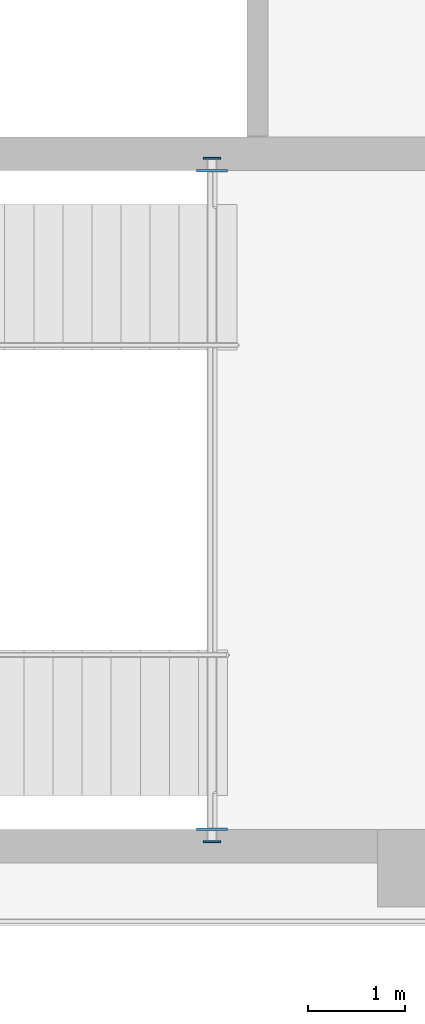
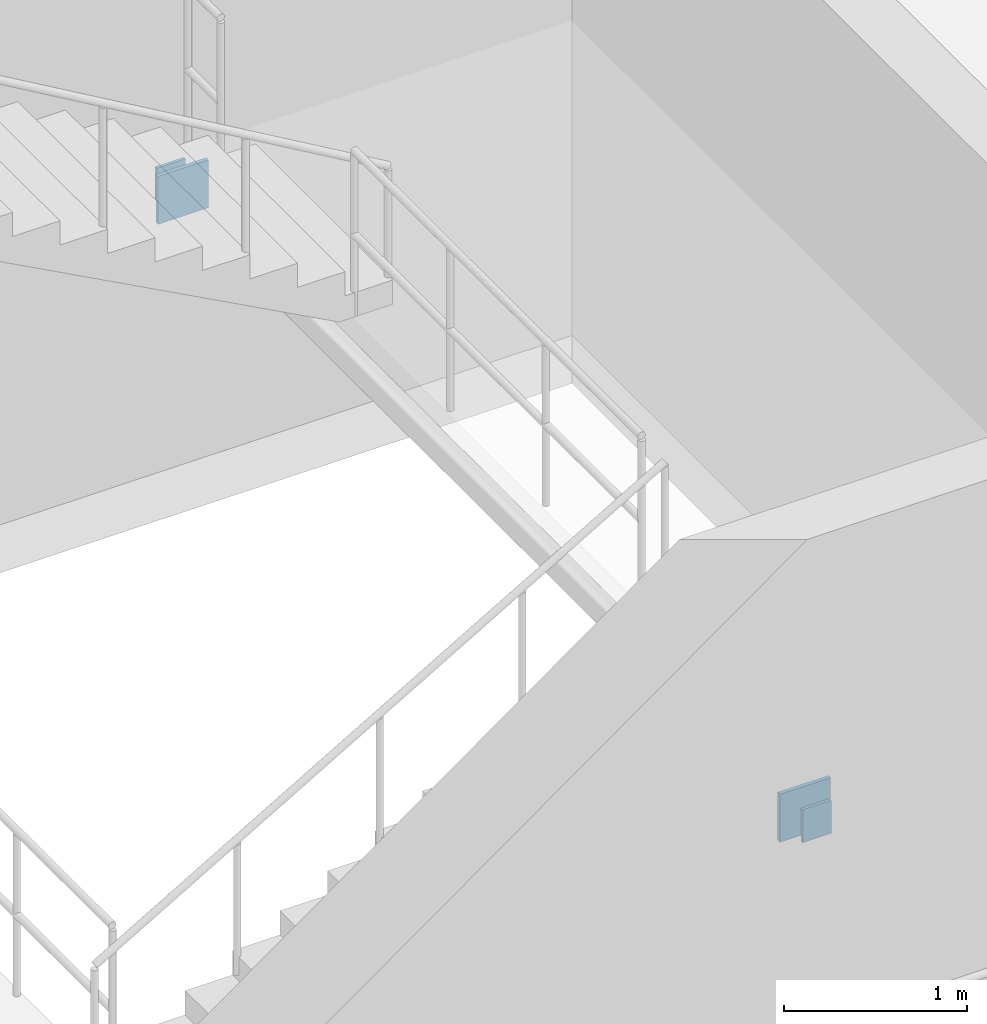
# One storey, part 10 of 35: 4 plates.
"""IFC4 building model written with IfcOpenShell, lengths in metres."""

import ifcopenshell
import ifcopenshell.guid

model = None  # the IFC model being written
_history = None  # IfcOwnerHistory: only IFC2X3 demands one
_inside = {}  # id of a spatial element -> (the spatial element, [elements in it])
_under = {}  # id of a project, library or spatial element -> (it, [spatial elements below it])
_declared = {}  # id of a project -> (the project, [libraries it declares])
_typed = {}  # id of a type object -> (the type object, [elements of that type])
_made_of = {}  # id of a material, layer set ... -> (it, [elements and type objects made of it])


def new_model(schema):
    """Start an empty IFC model of exactly this schema.

    Asked for "IFC4X3", IfcOpenShell would pick the latest addendum, in which some entities
    have other attributes; the version numbers below select the first issue.
    IFC2X3 requires an IfcOwnerHistory on every rooted entity: one is made here for all.
    """
    global model, _history
    if schema == "IFC4X3":
        model = ifcopenshell.file(schema_version=(4, 3, 0, 0))
    else:
        model = ifcopenshell.file(schema=schema)
    _inside.clear()
    _under.clear()
    _declared.clear()
    _typed.clear()
    _made_of.clear()
    _history = None
    if model.schema == "IFC2X3":
        org = make("IfcOrganization", Name="unknown")
        user = make(
            "IfcPersonAndOrganization",
            ThePerson=make("IfcPerson", FamilyName="unknown"),
            TheOrganization=org,
        )
        app = make(
            "IfcApplication",
            ApplicationDeveloper=org,
            Version="unknown",
            ApplicationFullName="unknown",
            ApplicationIdentifier="unknown",
        )
        _history = make(
            "IfcOwnerHistory",
            OwningUser=user,
            OwningApplication=app,
            ChangeAction="ADDED",
            CreationDate=0,
        )
    return model


def make(cls, **values):
    """One entity of the class cls with the attributes given. An attribute that is None is left unset."""
    return model.create_entity(
        cls, **{name: value for name, value in values.items() if value is not None}
    )


def rooted(cls, **values):
    """An entity with a GlobalId (a new one), such as an element, a storey or a relation."""
    return make(cls, GlobalId=ifcopenshell.guid.new(), OwnerHistory=_history, **values)


def si_unit(unit_type, name, prefix=None):
    """IfcSIUnit, for example si_unit("LENGTHUNIT", "METRE", prefix="MILLI")."""
    return make("IfcSIUnit", UnitType=unit_type, Prefix=prefix, Name=name)


def assignment(units):
    """IfcUnitAssignment: the units of a project."""
    return None if units is None else make("IfcUnitAssignment", Units=units)


def point(xyz):
    """IfcCartesianPoint."""
    return None if xyz is None else make("IfcCartesianPoint", Coordinates=xyz)


def direction(xyz):
    """IfcDirection."""
    return None if xyz is None else make("IfcDirection", DirectionRatios=xyz)


def frame(location, z_axis=None, x_axis=None):
    """IfcAxis2Placement3D, a coordinate frame: its origin and axes. An axis left out is left unset."""
    return make(
        "IfcAxis2Placement3D",
        Location=point(location),
        Axis=direction(z_axis),
        RefDirection=direction(x_axis),
    )


def frame_2d(location, x_axis=None):
    """IfcAxis2Placement2D, a coordinate frame in the plane: its origin and x axis."""
    return make(
        "IfcAxis2Placement2D", Location=point(location), RefDirection=direction(x_axis)
    )


def origin():
    """The frame at (0, 0, 0) with its axes left unset."""
    return frame((0.0, 0.0, 0.0))


def origin_2d():
    """The frame at (0, 0) in the plane with its x axis left unset."""
    return frame_2d((0.0, 0.0))


def place(relative_to, where):
    """IfcLocalPlacement: puts the frame where relative to a parent placement (None: the world)."""
    return make(
        "IfcLocalPlacement", PlacementRelTo=relative_to, RelativePlacement=where
    )


def context(
    kind, dimensions, precision=None, world=None, true_north=None, identifier=None
):
    """IfcGeometricRepresentationContext, for example the 3D "Model" context."""
    return make(
        "IfcGeometricRepresentationContext",
        ContextIdentifier=identifier,
        ContextType=kind,
        CoordinateSpaceDimension=dimensions,
        Precision=precision,
        WorldCoordinateSystem=world,
        TrueNorth=true_north,
    )


def subcontext(parent, identifier, kind, view, scale=None):
    """IfcGeometricRepresentationSubContext, for example "Body" below "Model"."""
    return make(
        "IfcGeometricRepresentationSubContext",
        ContextIdentifier=identifier,
        ContextType=kind,
        ParentContext=parent,
        TargetScale=scale,
        TargetView=view,
    )


def project(units=None, contexts=None):
    """IfcProject with its units and contexts."""
    return rooted(
        "IfcProject",
        Name="project",
        RepresentationContexts=contexts,
        UnitsInContext=assignment(units),
    )


def spatial(cls, under=None, at=None, **own):
    """A site, building, storey or space (cls), placed at a placement, below another one or the project."""
    s = rooted(cls, ObjectPlacement=at, **own)
    if under is not None:
        _under.setdefault(under.id(), (under, []))[1].append(s)
    return s


def profile(cls, at=None, kind="AREA", **sizes):
    """A parametric profile (cls). Its sizes go by their IFC names, for example OverallWidth=200.0."""
    return make(cls, ProfileType=kind, Position=at, **sizes)


def rectangle(**sizes):
    """IfcRectangleProfileDef."""
    return profile("IfcRectangleProfileDef", **sizes)


def extrude(swept, where, along, depth):
    """IfcExtrudedAreaSolid: the profile swept, set in the frame where, extruded along a direction by depth."""
    return make(
        "IfcExtrudedAreaSolid",
        SweptArea=swept,
        Position=where,
        ExtrudedDirection=direction(along),
        Depth=depth,
    )


def shape(context_of_items, identifier, shape_type, items):
    """IfcShapeRepresentation: the items that make up one representation, for example the "Body"."""
    return make(
        "IfcShapeRepresentation",
        ContextOfItems=context_of_items,
        RepresentationIdentifier=identifier,
        RepresentationType=shape_type,
        Items=items,
    )


def material(Name=None, Category=None):
    """IfcMaterial."""
    return make("IfcMaterial", Name=Name, Category=Category)


def layer(
    of_material, thickness, ventilated=None, Name=None, Category=None, Priority=None
):
    """IfcMaterialLayer: one layer of a wall or slab, of a material (None: an air gap)."""
    return make(
        "IfcMaterialLayer",
        Material=of_material,
        LayerThickness=thickness,
        IsVentilated=ventilated,
        Name=Name,
        Category=Category,
        Priority=Priority,
    )


def layer_set(layers, Name=None):
    """IfcMaterialLayerSet."""
    return make("IfcMaterialLayerSet", MaterialLayers=layers, LayerSetName=Name)


def made_of(thing, what):
    """Note that an element or type object is made of a material, layer set ...; save() writes the relation."""
    if what is not None:
        _made_of.setdefault(what.id(), (what, []))[1].append(thing)
    return thing


def type_object(cls, material=None, **own):
    """A type object (cls), such as IfcWallType, which elements share."""
    return made_of(rooted(cls, **own), material)


def element(
    cls,
    number,
    at=None,
    inside=None,
    cuts=None,
    type_object=None,
    material=None,
    context=None,
    identifier="Body",
    shape_type=None,
    held_by="IfcProductDefinitionShape",
    body=None,
    shapes=None,
    **own,
):
    """One element of the class cls, such as IfcWall. Its Tag is "e" and its number.

    at: its placement. inside: the storey or other place that contains it. cuts: it is an
    opening in that element (IfcRelVoidsElement). A single representation is given by context,
    identifier, shape_type and body (its items); several are given by shapes. held_by: the class
    of the entity that holds the representations. save() writes the other relations.
    """
    e = rooted(cls, Tag="e%d" % number, ObjectPlacement=at, **own)
    if body is not None:
        shapes = [shape(context, identifier, shape_type, body)]
    if shapes is not None:
        e.Representation = make(held_by, Representations=shapes)
    if inside is not None:
        _inside.setdefault(inside.id(), (inside, []))[1].append(e)
    if cuts is not None:
        rooted(
            "IfcRelVoidsElement", RelatingBuildingElement=cuts, RelatedOpeningElement=e
        )
    if type_object is not None:
        _typed.setdefault(type_object.id(), (type_object, []))[1].append(e)
    return made_of(e, material)


def aggregate(whole, parts):
    """IfcRelAggregates: a whole, such as a stair, and the parts it consists of."""
    return rooted("IfcRelAggregates", RelatingObject=whole, RelatedObjects=parts)


def save(model, path):
    """Write the relations noted so far, then the file.

    IfcRelAggregates (storeys below a building ...), IfcRelContainedInSpatialStructure (elements
    in a storey), IfcRelDefinesByType, IfcRelAssociatesMaterial and IfcRelDeclares: one each for
    every whole, place, type object, material and project.
    """
    for whole, parts in _under.values():
        aggregate(whole, parts)
    for where, things in _inside.values():
        rooted(
            "IfcRelContainedInSpatialStructure",
            RelatedElements=things,
            RelatingStructure=where,
        )
    for kind, things in _typed.values():
        rooted("IfcRelDefinesByType", RelatedObjects=things, RelatingType=kind)
    for what, things in _made_of.values():
        rooted("IfcRelAssociatesMaterial", RelatedObjects=things, RelatingMaterial=what)
    for by, libraries in _declared.values():
        rooted("IfcRelDeclares", RelatingContext=by, RelatedDefinitions=libraries)
    model.write(path)


model = new_model("IFC4")

# Units and contexts
model_context = context("Model", 3, precision=1e-05, world=origin(), true_north=direction((0.0, 1.0)))
body_context = subcontext(model_context, "Body", "Model", "MODEL_VIEW")
ifc_project = project(units=[si_unit("LENGTHUNIT", "METRE"), si_unit("AREAUNIT", "SQUARE_METRE"), si_unit("VOLUMEUNIT", "CUBIC_METRE"), si_unit("PLANEANGLEUNIT", "RADIAN"), si_unit("MASSUNIT", "GRAM", prefix="KILO"), si_unit("THERMODYNAMICTEMPERATUREUNIT", "KELVIN"), si_unit("POWERUNIT", "WATT")], contexts=[model_context])

# Site, building, storey
site_placement = place(None, origin())
site = spatial("IfcSite", under=ifc_project, at=site_placement, CompositionType="ELEMENT")
building_placement = place(site_placement, origin())
building = spatial("IfcBuilding", under=site, at=building_placement, Name="Solvatero Civic Police Headquarters", CompositionType="ELEMENT")
storey_placement = place(building_placement, frame((0.0, 0.0, -4.199951171875)))
storey = spatial("IfcBuildingStorey", under=building, at=storey_placement, Name="B01", CompositionType="ELEMENT", Elevation=-4.199951171875)

# Plates
ifc_material = material(Name="Steel S355", Category="steel")
ifc_layer_1 = layer(ifc_material, 0.02001953125)
ifc_layer_set_1 = layer_set([ifc_layer_1], Name="Steel S355")
plate_type_1 = type_object("IfcPlateType", Name="PLT-CAP-20", PredefinedType="SHEET", material=ifc_layer_set_1)
for number, where, z_axis, x_axis, name in (
    (1, (43.340087890625, 15.8701171875, 1.71484375), (0.0, 0.0, 1.0), (1.0, 0.0, 0.0), "Hollow Section Cap Plate 0003"),
    (2, (43.340087890625, 22.929931640625, 1.71484375), (0.0, 0.0, 1.0), (1.0, 0.0, 0.0), "Hollow Section Cap Plate 0004"),
):
    element("IfcPlate", number, at=place(storey_placement, frame(where, z_axis=z_axis, x_axis=x_axis)), inside=storey, type_object=plate_type_1, Name=name, PredefinedType="SHEET", context=body_context, shape_type="SweptSolid", body=[
        extrude(rectangle(XDim=0.179931640625, YDim=0.02001953125, at=origin_2d()), origin(), (0.0, 0.0, 1.0), 0.219970703125),
    ])
ifc_layer_2 = layer(ifc_material, 0.02490234375)
ifc_layer_set_2 = layer_set([ifc_layer_2], Name="Steel S355")
plate_type_2 = type_object("IfcPlateType", Name="PLT-EMB-25", PredefinedType="SHEET", material=ifc_layer_set_2)
for number, where, z_axis, x_axis, name in (
    (3, (43.340087890625, 16.0, 1.6650390625), (0.0, 0.0, 1.0), (1.0, 0.0, 0.0), "Cast-In Shear Wall Embed Plate 0003"),
    (4, (43.340087890625, 22.800048828125, 1.6650390625), (0.0, 0.0, 1.0), (1.0, 0.0, 0.0), "Cast-In Shear Wall Embed Plate 0004"),
):
    element("IfcPlate", number, at=place(storey_placement, frame(where, z_axis=z_axis, x_axis=x_axis)), inside=storey, type_object=plate_type_2, Name=name, PredefinedType="SHEET", context=body_context, shape_type="SweptSolid", body=[
        extrude(rectangle(XDim=0.320068359375, YDim=0.02490234375, at=origin_2d()), origin(), (0.0, 0.0, 1.0), 0.320068359375),
    ])

save(model, "model.ifc")
